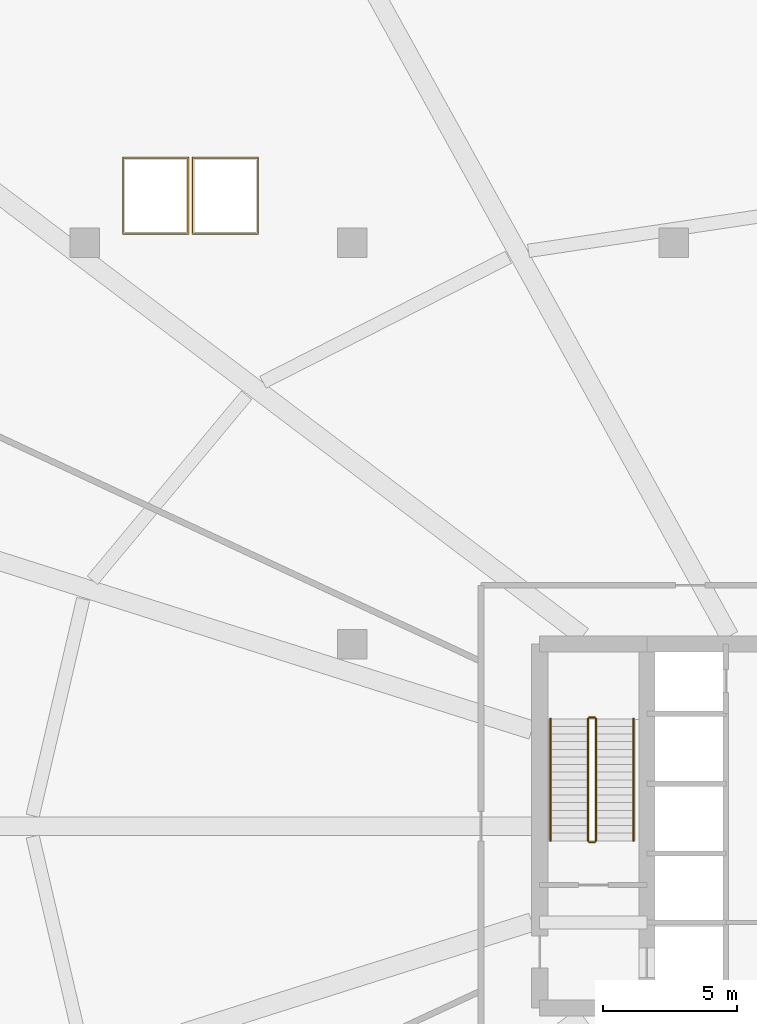
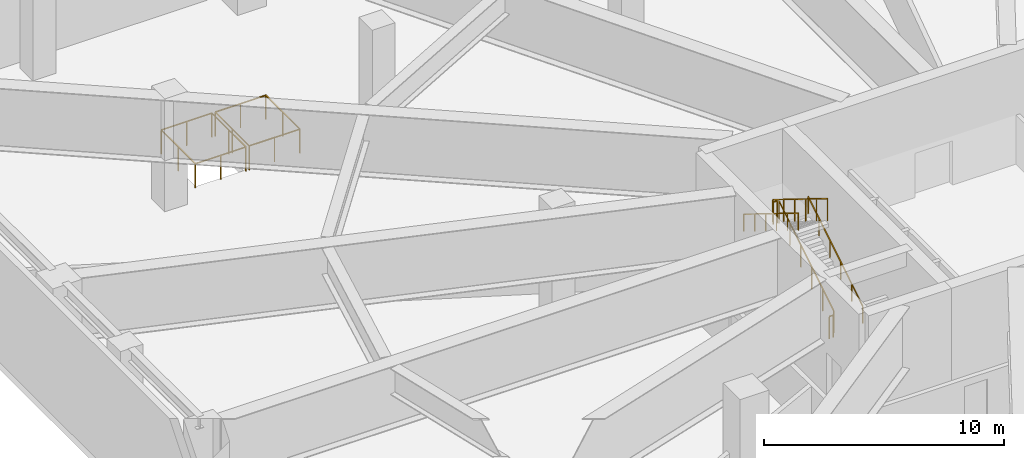
# One storey, part 8 of 9: 8 railings.
"""IFC4 building model written with IfcOpenShell, lengths in metres."""

from ifc_helpers import new_model, si_unit, direction, frame, origin, origin_2d, place, context, subcontext, project, spatial, rectangle, extrude, material, type_object, element, save


model = new_model("IFC4")

# Units and contexts
model_context = context("Model", 3, precision=1e-05, world=origin(), true_north=direction((0.0, 1.0)))
body_context = subcontext(model_context, "Body", "Model", "MODEL_VIEW")
ifc_project = project(units=[si_unit("LENGTHUNIT", "METRE"), si_unit("AREAUNIT", "SQUARE_METRE"), si_unit("VOLUMEUNIT", "CUBIC_METRE"), si_unit("PLANEANGLEUNIT", "RADIAN"), si_unit("MASSUNIT", "GRAM", prefix="KILO")], contexts=[model_context])

# Site, building, storey
site_placement = place(None, origin())
site = spatial("IfcSite", under=ifc_project, at=site_placement, CompositionType="ELEMENT")
building_placement = place(site_placement, origin())
building = spatial("IfcBuilding", under=site, at=building_placement, Name="Sarneth Arch Tower", CompositionType="ELEMENT")
storey_placement = place(building_placement, frame((0.0, 0.0, 22.199951171875)))
storey = spatial("IfcBuildingStorey", under=building, at=storey_placement, Name="L04", CompositionType="ELEMENT", Elevation=22.199951171875)

# Railings
ifc_material_1 = material(Name="Brushed Stainless Steel 304 tubular handrail", Category="steel")
railing_type_1 = type_object("IfcRailingType", Name="RAIL-HANDRAIL-900", PredefinedType="HANDRAIL", material=ifc_material_1)
railing_1_placement = place(storey_placement, frame((40.5, 41.449951171875, 0.176513671875)))
element("IfcRailing", 1, at=railing_1_placement, inside=storey, type_object=railing_type_1, Name="L04 ST-1 stair handrail 1", PredefinedType="HANDRAIL", context=body_context, shape_type="SweptSolid", body=[
    extrude(rectangle(XDim=0.048095703125, YDim=0.048095703125, at=origin_2d()), frame((0.0, 0.0, 0.8759765625), z_axis=(0.0, 0.850215668316, 0.526434532824), x_axis=(-1.0, 0.0, 0.0)), (0.0, 0.0, 1.0), 5.363525390625),
    extrude(rectangle(XDim=0.0419921875, YDim=0.0419921875, at=origin_2d()), origin(), (0.0, 0.0, 1.0), 0.851806640625),
    extrude(rectangle(XDim=0.0419921875, YDim=0.0419921875, at=origin_2d()), frame((0.0, 0.912109375, 0.564697265625)), (0.0, 0.0, 1.0), 0.851806640625),
    extrude(rectangle(XDim=0.0419921875, YDim=0.0419921875, at=origin_2d()), frame((0.0, 1.823974609375, 1.12939453125)), (0.0, 0.0, 1.0), 0.851806640625),
    extrude(rectangle(XDim=0.0419921875, YDim=0.0419921875, at=origin_2d()), frame((0.0, 2.736083984375, 1.694091796875)), (0.0, 0.0, 1.0), 0.851806640625),
    extrude(rectangle(XDim=0.0419921875, YDim=0.0419921875, at=origin_2d()), frame((0.0, 3.64794921875, 2.2587890625)), (0.0, 0.0, 1.0), 0.851806640625),
    extrude(rectangle(XDim=0.0419921875, YDim=0.0419921875, at=origin_2d()), frame((0.0, 4.56005859375, 2.823486328125)), (0.0, 0.0, 1.0), 0.851806640625),
])
railing_2_placement = place(storey_placement, frame((37.39990234375, 46.010009765625, 3.176513671875)))
element("IfcRailing", 2, at=railing_2_placement, inside=storey, type_object=railing_type_1, Name="L04 ST-1 stair handrail 2", PredefinedType="HANDRAIL", context=body_context, shape_type="SweptSolid", body=[
    extrude(rectangle(XDim=0.048095703125, YDim=0.048095703125, at=origin_2d()), frame((0.0, 0.0, 0.8759765625), z_axis=(0.0, -0.850215668316, 0.526434532824), x_axis=(1.0, 0.0, 0.0)), (0.0, 0.0, 1.0), 5.363525390625),
    extrude(rectangle(XDim=0.0419921875, YDim=0.0419921875, at=origin_2d()), origin(), (0.0, 0.0, 1.0), 0.851806640625),
    extrude(rectangle(XDim=0.0419921875, YDim=0.0419921875, at=origin_2d()), frame((0.0, -0.912109375, 0.564697265625)), (0.0, 0.0, 1.0), 0.851806640625),
    extrude(rectangle(XDim=0.0419921875, YDim=0.0419921875, at=origin_2d()), frame((0.0, -1.823974609375, 1.12939453125)), (0.0, 0.0, 1.0), 0.851806640625),
    extrude(rectangle(XDim=0.0419921875, YDim=0.0419921875, at=origin_2d()), frame((0.0, -2.736083984375, 1.694091796875)), (0.0, 0.0, 1.0), 0.851806640625),
    extrude(rectangle(XDim=0.0419921875, YDim=0.0419921875, at=origin_2d()), frame((0.0, -3.64794921875, 2.2587890625)), (0.0, 0.0, 1.0), 0.851806640625),
    extrude(rectangle(XDim=0.0419921875, YDim=0.0419921875, at=origin_2d()), frame((0.0, -4.56005859375, 2.823486328125)), (0.0, 0.0, 1.0), 0.851806640625),
])
ifc_material_2 = material(Name="Painted Steel S275 stair well guard", Category="steel")
railing_type_2 = type_object("IfcRailingType", Name="RAIL-STAIR-GUARD", PredefinedType="GUARDRAIL", material=ifc_material_2)
railing_3_placement = place(storey_placement, frame((39.10009765625, 41.449951171875, 0.176513671875)))
element("IfcRailing", 3, at=railing_3_placement, inside=storey, type_object=railing_type_2, Name="L04 ST-1 stair guard 1", PredefinedType="GUARDRAIL", context=body_context, shape_type="SweptSolid", body=[
    extrude(rectangle(XDim=0.048095703125, YDim=0.048095703125, at=origin_2d()), frame((0.0, 0.0, 1.1259765625), z_axis=(0.0, 0.850215668316, 0.526434532824), x_axis=(-1.0, 0.0, 0.0)), (0.0, 0.0, 1.0), 5.363525390625),
    extrude(rectangle(XDim=0.0419921875, YDim=0.0419921875, at=origin_2d()), origin(), (0.0, 0.0, 1.0), 1.101806640625),
    extrude(rectangle(XDim=0.0419921875, YDim=0.0419921875, at=origin_2d()), frame((0.0, 0.912109375, 0.564697265625)), (0.0, 0.0, 1.0), 1.101806640625),
    extrude(rectangle(XDim=0.0419921875, YDim=0.0419921875, at=origin_2d()), frame((0.0, 1.823974609375, 1.12939453125)), (0.0, 0.0, 1.0), 1.101806640625),
    extrude(rectangle(XDim=0.0419921875, YDim=0.0419921875, at=origin_2d()), frame((0.0, 2.736083984375, 1.694091796875)), (0.0, 0.0, 1.0), 1.101806640625),
    extrude(rectangle(XDim=0.0419921875, YDim=0.0419921875, at=origin_2d()), frame((0.0, 3.64794921875, 2.2587890625)), (0.0, 0.0, 1.0), 1.101806640625),
    extrude(rectangle(XDim=0.0419921875, YDim=0.0419921875, at=origin_2d()), frame((0.0, 4.56005859375, 2.823486328125)), (0.0, 0.0, 1.0), 1.101806640625),
])
railing_4_placement = place(storey_placement, frame((39.050048828125, 46.06005859375, 3.0)))
element("IfcRailing", 4, at=railing_4_placement, inside=storey, type_object=railing_type_2, Name="L04 ST-1 stair guard 2", PredefinedType="GUARDRAIL", context=body_context, shape_type="SweptSolid", body=[
    extrude(rectangle(XDim=0.048095703125, YDim=0.048095703125, at=origin_2d()), frame((0.0, 0.0, 1.1259765625), z_axis=(-1.0, 0.0, 0.0), x_axis=(0.0, -1.0, 0.0)), (0.0, 0.0, 1.0), 0.199951171875),
    extrude(rectangle(XDim=0.0419921875, YDim=0.0419921875, at=origin_2d()), origin(), (0.0, 0.0, 1.0), 1.101806640625),
    extrude(rectangle(XDim=0.0419921875, YDim=0.0419921875, at=origin_2d()), frame((-0.199951171875, 0.0, 0.0)), (0.0, 0.0, 1.0), 1.101806640625),
])
railing_5_placement = place(storey_placement, frame((38.800048828125, 46.010009765625, 3.176513671875)))
element("IfcRailing", 5, at=railing_5_placement, inside=storey, type_object=railing_type_2, Name="L04 ST-1 stair guard 3", PredefinedType="GUARDRAIL", context=body_context, shape_type="SweptSolid", body=[
    extrude(rectangle(XDim=0.048095703125, YDim=0.048095703125, at=origin_2d()), frame((0.0, 0.0, 1.1259765625), z_axis=(0.0, -0.850215668316, 0.526434532824), x_axis=(1.0, 0.0, 0.0)), (0.0, 0.0, 1.0), 5.363525390625),
    extrude(rectangle(XDim=0.0419921875, YDim=0.0419921875, at=origin_2d()), origin(), (0.0, 0.0, 1.0), 1.101806640625),
    extrude(rectangle(XDim=0.0419921875, YDim=0.0419921875, at=origin_2d()), frame((0.0, -0.912109375, 0.564697265625)), (0.0, 0.0, 1.0), 1.101806640625),
    extrude(rectangle(XDim=0.0419921875, YDim=0.0419921875, at=origin_2d()), frame((0.0, -1.823974609375, 1.12939453125)), (0.0, 0.0, 1.0), 1.101806640625),
    extrude(rectangle(XDim=0.0419921875, YDim=0.0419921875, at=origin_2d()), frame((0.0, -2.736083984375, 1.694091796875)), (0.0, 0.0, 1.0), 1.101806640625),
    extrude(rectangle(XDim=0.0419921875, YDim=0.0419921875, at=origin_2d()), frame((0.0, -3.64794921875, 2.2587890625)), (0.0, 0.0, 1.0), 1.101806640625),
    extrude(rectangle(XDim=0.0419921875, YDim=0.0419921875, at=origin_2d()), frame((0.0, -4.56005859375, 2.823486328125)), (0.0, 0.0, 1.0), 1.101806640625),
])
railing_6_placement = place(storey_placement, frame((39.050048828125, 41.39990234375, 0.0)))
element("IfcRailing", 6, at=railing_6_placement, inside=storey, type_object=railing_type_2, Name="L04 ST-1 stair guard 4", PredefinedType="GUARDRAIL", context=body_context, shape_type="SweptSolid", body=[
    extrude(rectangle(XDim=0.048095703125, YDim=0.048095703125, at=origin_2d()), frame((0.0, 0.0, 1.1259765625), z_axis=(-1.0, 0.0, 0.0), x_axis=(0.0, -1.0, 0.0)), (0.0, 0.0, 1.0), 0.199951171875),
    extrude(rectangle(XDim=0.0419921875, YDim=0.0419921875, at=origin_2d()), origin(), (0.0, 0.0, 1.0), 1.101806640625),
    extrude(rectangle(XDim=0.0419921875, YDim=0.0419921875, at=origin_2d()), frame((-0.199951171875, 0.0, 0.0)), (0.0, 0.0, 1.0), 1.101806640625),
])
ifc_material_3 = material(Name="Stainless Steel 316 balustrade with vertical posts at 1,800 mm centres", Category="steel")
railing_type_3 = type_object("IfcRailingType", Name="RAIL-TERR-1250", PredefinedType="GUARDRAIL", material=ifc_material_3)
railing_7_placement = place(storey_placement, frame((21.429931640625, 64.1298828125, 0.0)))
element("IfcRailing", 7, at=railing_7_placement, inside=storey, type_object=railing_type_3, Name="L04 Podium lift overrun guard PP1", PredefinedType="GUARDRAIL", context=body_context, shape_type="SweptSolid", body=[
    extrude(rectangle(XDim=0.048095703125, YDim=0.048095703125, at=origin_2d()), frame((0.0, 0.0, 1.22607421875), z_axis=(1.0, 0.0, 0.0), x_axis=(0.0, 1.0, 0.0)), (0.0, 0.0, 1.0), 2.440185546875),
    extrude(rectangle(XDim=0.048095703125, YDim=0.048095703125, at=origin_2d()), frame((2.440185546875, 0.0, 1.22607421875), z_axis=(0.0, 1.0, 0.0), x_axis=(-1.0, 0.0, 0.0)), (0.0, 0.0, 1.0), 2.840087890625),
    extrude(rectangle(XDim=0.048095703125, YDim=0.048095703125, at=origin_2d()), frame((2.440185546875, 2.840087890625, 1.22607421875), z_axis=(-1.0, 0.0, 0.0), x_axis=(0.0, -1.0, 0.0)), (0.0, 0.0, 1.0), 2.440185546875),
    extrude(rectangle(XDim=0.048095703125, YDim=0.048095703125, at=origin_2d()), frame((0.0, 2.840087890625, 1.22607421875), z_axis=(0.0, -1.0, 0.0), x_axis=(1.0, 0.0, 0.0)), (0.0, 0.0, 1.0), 2.840087890625),
    extrude(rectangle(XDim=0.0419921875, YDim=0.0419921875, at=origin_2d()), origin(), (0.0, 0.0, 1.0), 1.201904296875),
    extrude(rectangle(XDim=0.0419921875, YDim=0.0419921875, at=origin_2d()), frame((1.22021484375, 0.0, 0.0)), (0.0, 0.0, 1.0), 1.201904296875),
    extrude(rectangle(XDim=0.0419921875, YDim=0.0419921875, at=origin_2d()), frame((2.440185546875, 0.0, 0.0)), (0.0, 0.0, 1.0), 1.201904296875),
    extrude(rectangle(XDim=0.0419921875, YDim=0.0419921875, at=origin_2d()), frame((2.440185546875, 1.419921875, 0.0)), (0.0, 0.0, 1.0), 1.201904296875),
    extrude(rectangle(XDim=0.0419921875, YDim=0.0419921875, at=origin_2d()), frame((2.440185546875, 2.840087890625, 0.0)), (0.0, 0.0, 1.0), 1.201904296875),
    extrude(rectangle(XDim=0.0419921875, YDim=0.0419921875, at=origin_2d()), frame((1.22021484375, 2.840087890625, 0.0)), (0.0, 0.0, 1.0), 1.201904296875),
    extrude(rectangle(XDim=0.0419921875, YDim=0.0419921875, at=origin_2d()), frame((0.0, 2.840087890625, 0.0)), (0.0, 0.0, 1.0), 1.201904296875),
    extrude(rectangle(XDim=0.0419921875, YDim=0.0419921875, at=origin_2d()), frame((0.0, 1.419921875, 0.0)), (0.0, 0.0, 1.0), 1.201904296875),
])
railing_8_placement = place(storey_placement, frame((24.030029296875, 64.1298828125, 0.0)))
element("IfcRailing", 8, at=railing_8_placement, inside=storey, type_object=railing_type_3, Name="L04 Podium lift overrun guard PP2", PredefinedType="GUARDRAIL", context=body_context, shape_type="SweptSolid", body=[
    extrude(rectangle(XDim=0.048095703125, YDim=0.048095703125, at=origin_2d()), frame((0.0, 0.0, 1.22607421875), z_axis=(1.0, 0.0, 0.0), x_axis=(0.0, 1.0, 0.0)), (0.0, 0.0, 1.0), 2.43994140625),
    extrude(rectangle(XDim=0.048095703125, YDim=0.048095703125, at=origin_2d()), frame((2.43994140625, 0.0, 1.22607421875), z_axis=(0.0, 1.0, 0.0), x_axis=(-1.0, 0.0, 0.0)), (0.0, 0.0, 1.0), 2.840087890625),
    extrude(rectangle(XDim=0.048095703125, YDim=0.048095703125, at=origin_2d()), frame((2.43994140625, 2.840087890625, 1.22607421875), z_axis=(-1.0, 0.0, 0.0), x_axis=(0.0, -1.0, 0.0)), (0.0, 0.0, 1.0), 2.43994140625),
    extrude(rectangle(XDim=0.048095703125, YDim=0.048095703125, at=origin_2d()), frame((0.0, 2.840087890625, 1.22607421875), z_axis=(0.0, -1.0, 0.0), x_axis=(1.0, 0.0, 0.0)), (0.0, 0.0, 1.0), 2.840087890625),
    extrude(rectangle(XDim=0.0419921875, YDim=0.0419921875, at=origin_2d()), origin(), (0.0, 0.0, 1.0), 1.201904296875),
    extrude(rectangle(XDim=0.0419921875, YDim=0.0419921875, at=origin_2d()), frame((1.219970703125, 0.0, 0.0)), (0.0, 0.0, 1.0), 1.201904296875),
    extrude(rectangle(XDim=0.0419921875, YDim=0.0419921875, at=origin_2d()), frame((2.43994140625, 0.0, 0.0)), (0.0, 0.0, 1.0), 1.201904296875),
    extrude(rectangle(XDim=0.0419921875, YDim=0.0419921875, at=origin_2d()), frame((2.43994140625, 1.419921875, 0.0)), (0.0, 0.0, 1.0), 1.201904296875),
    extrude(rectangle(XDim=0.0419921875, YDim=0.0419921875, at=origin_2d()), frame((2.43994140625, 2.840087890625, 0.0)), (0.0, 0.0, 1.0), 1.201904296875),
    extrude(rectangle(XDim=0.0419921875, YDim=0.0419921875, at=origin_2d()), frame((1.219970703125, 2.840087890625, 0.0)), (0.0, 0.0, 1.0), 1.201904296875),
    extrude(rectangle(XDim=0.0419921875, YDim=0.0419921875, at=origin_2d()), frame((0.0, 2.840087890625, 0.0)), (0.0, 0.0, 1.0), 1.201904296875),
    extrude(rectangle(XDim=0.0419921875, YDim=0.0419921875, at=origin_2d()), frame((0.0, 1.419921875, 0.0)), (0.0, 0.0, 1.0), 1.201904296875),
])

save(model, "model.ifc")
